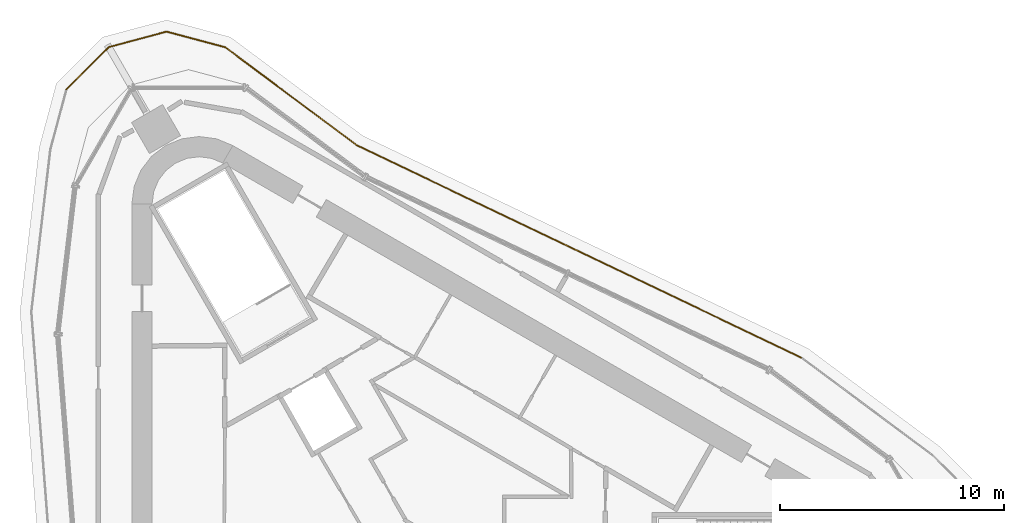
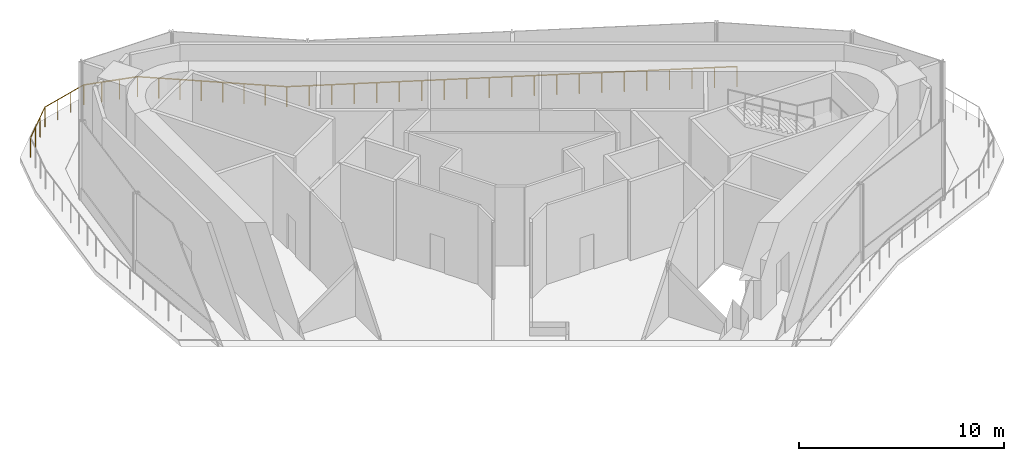
# One storey, part 8 of 8: 4 railings.
"""IFC4 building model written with IfcOpenShell, lengths in metres."""

from ifc_helpers import new_model, si_unit, direction, frame, origin, origin_2d, place, context, subcontext, project, spatial, circle, extrude, material, type_object, element, save


model = new_model("IFC4")

# Units and contexts
model_context = context("Model", 3, precision=1e-05, world=origin(), true_north=direction((0.0, 1.0)))
body_context = subcontext(model_context, "Body", "Model", "MODEL_VIEW")
ifc_project = project(units=[si_unit("LENGTHUNIT", "METRE"), si_unit("AREAUNIT", "SQUARE_METRE"), si_unit("VOLUMEUNIT", "CUBIC_METRE"), si_unit("PLANEANGLEUNIT", "RADIAN"), si_unit("MASSUNIT", "GRAM", prefix="KILO")], contexts=[model_context])

# Site, building, storey
site_placement = place(None, origin())
site = spatial("IfcSite", under=ifc_project, at=site_placement, CompositionType="ELEMENT")
building_placement = place(site_placement, origin())
building = spatial("IfcBuilding", under=site, at=building_placement, Name="Tanit Gate Tower", CompositionType="ELEMENT")
storey_placement = place(building_placement, frame((0.0, 0.0, 440.300048828125)))
storey = spatial("IfcBuildingStorey", under=building, at=storey_placement, Name="L99", CompositionType="ELEMENT", Elevation=440.300048828125)

# Railings
ifc_material = material(Name="Stainless steel", Category="steel")
railing_type = type_object("IfcRailingType", Name="Guard 1200 terrace balustrade", PredefinedType="GUARDRAIL", material=ifc_material)
railing_1_placement = place(storey_placement, frame((-15.0244140625, 20.85888671875, 0.0400390625)))
element("IfcRailing", 1, at=railing_1_placement, inside=storey, type_object=railing_type, Name="Terrace guard L99 1", PredefinedType="GUARDRAIL", context=body_context, shape_type="SweptSolid", body=[
    extrude(circle(Radius=0.02392578125, at=origin_2d()), frame((0.0, 0.0, 1.17578125), z_axis=(0.707106781187, 0.707106781187, 0.0), x_axis=(-0.707106781187, 0.707106781187, 0.0)), (0.0, 0.0, 1.0), 2.673095703125),
    extrude(circle(Radius=0.02392578125, at=origin_2d()), frame((1.89013671875, 1.89013671875, 1.17578125), z_axis=(0.965928077566, 0.258810643077, 0.0), x_axis=(-0.258810643077, 0.965928077566, 0.0)), (0.0, 0.0, 1.0), 2.67333984375),
    extrude(circle(Radius=0.02099609375, at=origin_2d()), origin(), (0.0, 0.0, 1.0), 1.15185546875),
    extrude(circle(Radius=0.02099609375, at=origin_2d()), frame((0.630126953125, 0.630126953125, 0.0)), (0.0, 0.0, 1.0), 1.15185546875),
    extrude(circle(Radius=0.02099609375, at=origin_2d()), frame((1.260009765625, 1.260009765625, 0.0)), (0.0, 0.0, 1.0), 1.15185546875),
    extrude(circle(Radius=0.02099609375, at=origin_2d()), frame((1.89013671875, 1.89013671875, 0.0)), (0.0, 0.0, 1.0), 1.15185546875),
    extrude(circle(Radius=0.02099609375, at=origin_2d()), frame((2.7509765625, 2.120849609375, 0.0)), (0.0, 0.0, 1.0), 1.15185546875),
    extrude(circle(Radius=0.02099609375, at=origin_2d()), frame((3.611572265625, 2.351318359375, 0.0)), (0.0, 0.0, 1.0), 1.15185546875),
    extrude(circle(Radius=0.02099609375, at=origin_2d()), frame((4.472412109375, 2.58203125, 0.0)), (0.0, 0.0, 1.0), 1.15185546875),
])
railing_2_placement = place(storey_placement, frame((-10.552001953125, 23.44091796875, 0.0400390625)))
element("IfcRailing", 2, at=railing_2_placement, inside=storey, type_object=railing_type, Name="Terrace guard L99 1", PredefinedType="GUARDRAIL", context=body_context, shape_type="SweptSolid", body=[
    extrude(circle(Radius=0.02392578125, at=origin_2d()), frame((0.0, 0.0, 1.17578125), z_axis=(0.965932376599, -0.258794597776, 0.0), x_axis=(0.258794597776, 0.965932376599, 0.0)), (0.0, 0.0, 1.0), 2.711181640625),
    extrude(circle(Radius=0.02392578125, at=origin_2d()), frame((2.618896484375, -0.70166015625, 1.17578125), z_axis=(0.801978462768, -0.597352948646, 0.0), x_axis=(0.597352948646, 0.801978462768, 0.0)), (0.0, 0.0, 1.0), 7.313720703125),
    extrude(circle(Radius=0.02099609375, at=origin_2d()), origin(), (0.0, 0.0, 1.0), 1.15185546875),
    extrude(circle(Radius=0.02099609375, at=origin_2d()), frame((0.873046875, -0.23388671875, 0.0)), (0.0, 0.0, 1.0), 1.15185546875),
    extrude(circle(Radius=0.02099609375, at=origin_2d()), frame((1.745849609375, -0.4677734375, 0.0)), (0.0, 0.0, 1.0), 1.15185546875),
    extrude(circle(Radius=0.02099609375, at=origin_2d()), frame((2.618896484375, -0.70166015625, 0.0)), (0.0, 0.0, 1.0), 1.15185546875),
    extrude(circle(Radius=0.02099609375, at=origin_2d()), frame((3.456787109375, -1.32568359375, 0.0)), (0.0, 0.0, 1.0), 1.15185546875),
    extrude(circle(Radius=0.02099609375, at=origin_2d()), frame((4.294677734375, -1.949951171875, 0.0)), (0.0, 0.0, 1.0), 1.15185546875),
    extrude(circle(Radius=0.02099609375, at=origin_2d()), frame((5.132568359375, -2.573974609375, 0.0)), (0.0, 0.0, 1.0), 1.15185546875),
    extrude(circle(Radius=0.02099609375, at=origin_2d()), frame((5.970703125, -3.1982421875, 0.0)), (0.0, 0.0, 1.0), 1.15185546875),
    extrude(circle(Radius=0.02099609375, at=origin_2d()), frame((6.80859375, -3.822265625, 0.0)), (0.0, 0.0, 1.0), 1.15185546875),
    extrude(circle(Radius=0.02099609375, at=origin_2d()), frame((7.646484375, -4.446533203125, 0.0)), (0.0, 0.0, 1.0), 1.15185546875),
    extrude(circle(Radius=0.02099609375, at=origin_2d()), frame((8.484375, -5.070556640625, 0.0)), (0.0, 0.0, 1.0), 1.15185546875),
])
for number, where, name in (
    (3, (-2.067626953125, 18.370361328125, 0.0400390625), "Terrace guard L99 1"),
    (4, (7.857421875, 13.62890625, 0.0400390625), "Terrace guard L99 1"),
):
    element("IfcRailing", number, at=place(storey_placement, frame(where)), inside=storey, type_object=railing_type, Name=name, PredefinedType="GUARDRAIL", context=body_context, shape_type="SweptSolid", body=[
        extrude(circle(Radius=0.02392578125, at=origin_2d()), frame((0.0, 0.0, 1.17578125), z_axis=(0.902321945968, -0.431062763207, 0.0), x_axis=(0.431062763207, 0.902321945968, 0.0)), (0.0, 0.0, 1.0), 10.99951171875),
        extrude(circle(Radius=0.02099609375, at=origin_2d()), origin(), (0.0, 0.0, 1.0), 1.15185546875),
        extrude(circle(Radius=0.02099609375, at=origin_2d()), frame((0.992431640625, -0.47412109375, 0.0)), (0.0, 0.0, 1.0), 1.15185546875),
        extrude(circle(Radius=0.02099609375, at=origin_2d()), frame((1.985107421875, -0.9482421875, 0.0)), (0.0, 0.0, 1.0), 1.15185546875),
        extrude(circle(Radius=0.02099609375, at=origin_2d()), frame((2.9775390625, -1.42236328125, 0.0)), (0.0, 0.0, 1.0), 1.15185546875),
        extrude(circle(Radius=0.02099609375, at=origin_2d()), frame((3.969970703125, -1.896484375, 0.0)), (0.0, 0.0, 1.0), 1.15185546875),
        extrude(circle(Radius=0.02099609375, at=origin_2d()), frame((4.96240234375, -2.37060546875, 0.0)), (0.0, 0.0, 1.0), 1.15185546875),
        extrude(circle(Radius=0.02099609375, at=origin_2d()), frame((5.955078125, -2.844970703125, 0.0)), (0.0, 0.0, 1.0), 1.15185546875),
        extrude(circle(Radius=0.02099609375, at=origin_2d()), frame((6.947509765625, -3.319091796875, 0.0)), (0.0, 0.0, 1.0), 1.15185546875),
        extrude(circle(Radius=0.02099609375, at=origin_2d()), frame((7.93994140625, -3.793212890625, 0.0)), (0.0, 0.0, 1.0), 1.15185546875),
        extrude(circle(Radius=0.02099609375, at=origin_2d()), frame((8.9326171875, -4.267333984375, 0.0)), (0.0, 0.0, 1.0), 1.15185546875),
        extrude(circle(Radius=0.02099609375, at=origin_2d()), frame((9.925048828125, -4.741455078125, 0.0)), (0.0, 0.0, 1.0), 1.15185546875),
    ])

save(model, "model.ifc")
